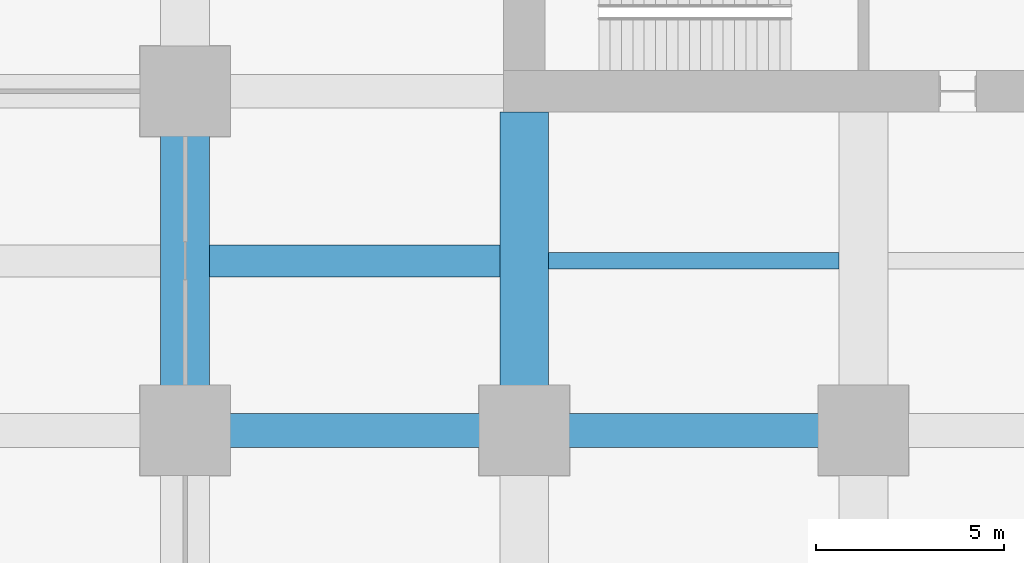
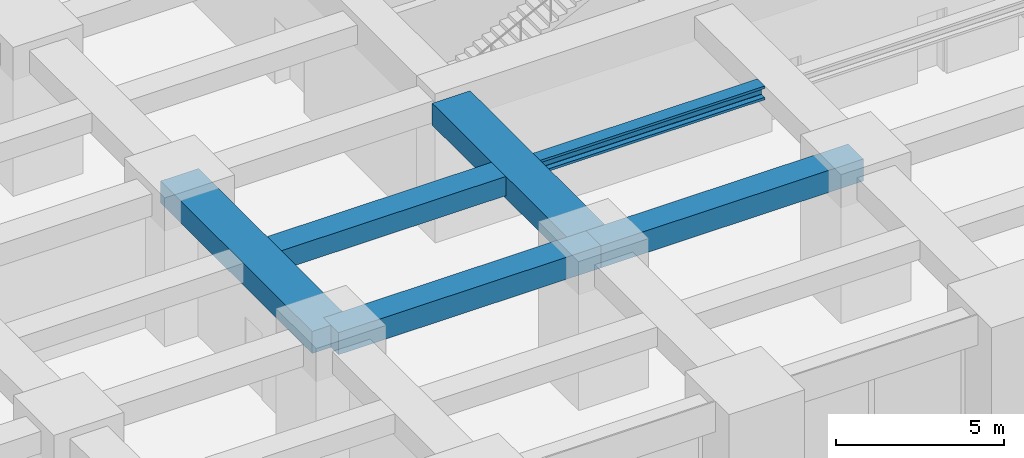
# One storey, part 8 of 45: 6 beams.
"""IFC4 building model written with IfcOpenShell, lengths in metres."""

from ifc_helpers import new_model, si_unit, direction, frame, origin, origin_2d, place, context, subcontext, project, spatial, rectangle, i_section, extrude, material, material_profile, profile_set, type_object, element, save


model = new_model("IFC4")

# Units and contexts
model_context = context("Model", 3, precision=1e-05, world=origin(), true_north=direction((0.0, 1.0)))
body_context = subcontext(model_context, "Body", "Model", "MODEL_VIEW")
ifc_project = project(units=[si_unit("LENGTHUNIT", "METRE"), si_unit("AREAUNIT", "SQUARE_METRE"), si_unit("VOLUMEUNIT", "CUBIC_METRE"), si_unit("PLANEANGLEUNIT", "RADIAN"), si_unit("MASSUNIT", "GRAM", prefix="KILO")], contexts=[model_context])

# Site, building, storey
site_placement = place(None, origin())
site = spatial("IfcSite", under=ifc_project, at=site_placement, CompositionType="ELEMENT")
building_placement = place(site_placement, origin())
building = spatial("IfcBuilding", under=site, at=building_placement, Name="Zorevar Civic Tower", CompositionType="ELEMENT")
storey_placement = place(building_placement, frame((0.0, 0.0, 5.39990234375)))
storey = spatial("IfcBuildingStorey", under=building, at=storey_placement, Name="L01", CompositionType="ELEMENT", Elevation=5.39990234375)

# Beams
ifc_material_1 = material(Name="Concrete C50/60", Category="concrete")
ifc_material_profile_1 = material_profile(ifc_material_1, rectangle(XDim=1.300048828125, YDim=0.800048828125, at=origin_2d()), Name="RC 1300x800")
ifc_profile_set_1 = profile_set([ifc_material_profile_1], Name="Concrete C50/60")
beam_type_1 = type_object("IfcBeamType", Name="Beam RC 1300x800", PredefinedType="BEAM", material=ifc_profile_set_1)
beam_1_placement = place(storey_placement, frame((9.0, 9.0, 4.7001953125), z_axis=(0.0, 1.0, 0.0), x_axis=(-1.0, 0.0, 0.0)))
element("IfcBeam", 1, at=beam_1_placement, inside=storey, type_object=beam_type_1, Name="Girder L02", PredefinedType="BEAM", context=body_context, shape_type="SweptSolid", body=[
    extrude(rectangle(XDim=1.300048828125, YDim=0.800048828125, at=origin_2d()), origin(), (0.0, 0.0, 1.0), 9.0),
])
beam_2_placement = place(storey_placement, frame((18.0, 9.0, 4.7001953125), z_axis=(0.0, 1.0, 0.0), x_axis=(-1.0, 0.0, 0.0)))
element("IfcBeam", 2, at=beam_2_placement, inside=storey, type_object=beam_type_1, Name="Girder L02", PredefinedType="BEAM", context=body_context, shape_type="SweptSolid", body=[
    extrude(rectangle(XDim=1.300048828125, YDim=0.800048828125, at=origin_2d()), origin(), (0.0, 0.0, 1.0), 8.449951171875),
])
ifc_material_2 = material(Name="Concrete C50/60", Category="concrete")
ifc_material_profile_2 = material_profile(ifc_material_2, rectangle(XDim=0.85009765625, YDim=0.699951171875, at=origin_2d()), Name="RC 850x700")
ifc_profile_set_2 = profile_set([ifc_material_profile_2], Name="Concrete C50/60")
beam_type_2 = type_object("IfcBeamType", Name="Beam RC 850x700", PredefinedType="BEAM", material=ifc_profile_set_2)
beam_3_placement = place(storey_placement, frame((9.64990234375, 13.5, 4.75), z_axis=(1.0, 0.0, 0.0), x_axis=(0.0, 1.0, 0.0)))
element("IfcBeam", 3, at=beam_3_placement, inside=storey, type_object=beam_type_2, Name="Secondary beam L02", PredefinedType="BEAM", context=body_context, shape_type="SweptSolid", body=[
    extrude(rectangle(XDim=0.85009765625, YDim=0.699951171875, at=origin_2d()), origin(), (0.0, 0.0, 1.0), 7.7001953125),
])
ifc_material_3 = material(Name="Concrete C50/60", Category="concrete")
ifc_material_profile_3 = material_profile(ifc_material_3, rectangle(XDim=0.89990234375, YDim=0.800048828125, at=origin_2d()), Name="RC 900x800")
ifc_profile_set_3 = profile_set([ifc_material_profile_3], Name="Concrete C50/60")
beam_type_3 = type_object("IfcBeamType", Name="Beam RC 900x800", PredefinedType="BEAM", material=ifc_profile_set_3)
for number, where, z_axis, x_axis, name in (
    (4, (9.0, 9.0, 4.7001953125), (1.0, 0.0, 0.0), (0.0, 1.0, 0.0), "Girder L02"),
    (5, (18.0, 9.0, 4.7001953125), (1.0, 0.0, 0.0), (0.0, 1.0, 0.0), "Girder L02"),
):
    element("IfcBeam", number, at=place(storey_placement, frame(where, z_axis=z_axis, x_axis=x_axis)), inside=storey, type_object=beam_type_3, Name=name, PredefinedType="BEAM", context=body_context, shape_type="SweptSolid", body=[
        extrude(rectangle(XDim=0.89990234375, YDim=0.800048828125, at=origin_2d()), origin(), (0.0, 0.0, 1.0), 9.0),
    ])
ifc_material_4 = material(Name="Steel S460M (HISTAR 460)", Category="steel")
ifc_material_profile_4 = material_profile(ifc_material_4, i_section(OverallWidth=0.431884765625, OverallDepth=0.498046875, WebThickness=0.0556640625, FlangeThickness=0.0888671875, FilletRadius=0.014892578125, at=origin_2d()), Name="HD 400x744")
ifc_profile_set_4 = profile_set([ifc_material_profile_4], Name="Steel S460M (HISTAR 460)")
beam_type_4 = type_object("IfcBeamType", Name="Core bay beam HD 400x744", PredefinedType="BEAM", material=ifc_profile_set_4)
beam_4_placement = place(storey_placement, frame((18.64990234375, 13.5, 4.85107421875), z_axis=(1.0, 0.0, 0.0), x_axis=(0.0, 1.0, 0.0)))
element("IfcBeam", 6, at=beam_4_placement, inside=storey, type_object=beam_type_4, Name="Secondary beam L02", PredefinedType="BEAM", context=body_context, shape_type="SweptSolid", body=[
    extrude(i_section(OverallWidth=0.431884765625, OverallDepth=0.498046875, WebThickness=0.0556640625, FlangeThickness=0.0888671875, FilletRadius=0.014892578125, at=origin_2d()), origin(), (0.0, 0.0, 1.0), 7.7001953125),
])

save(model, "model.ifc")
